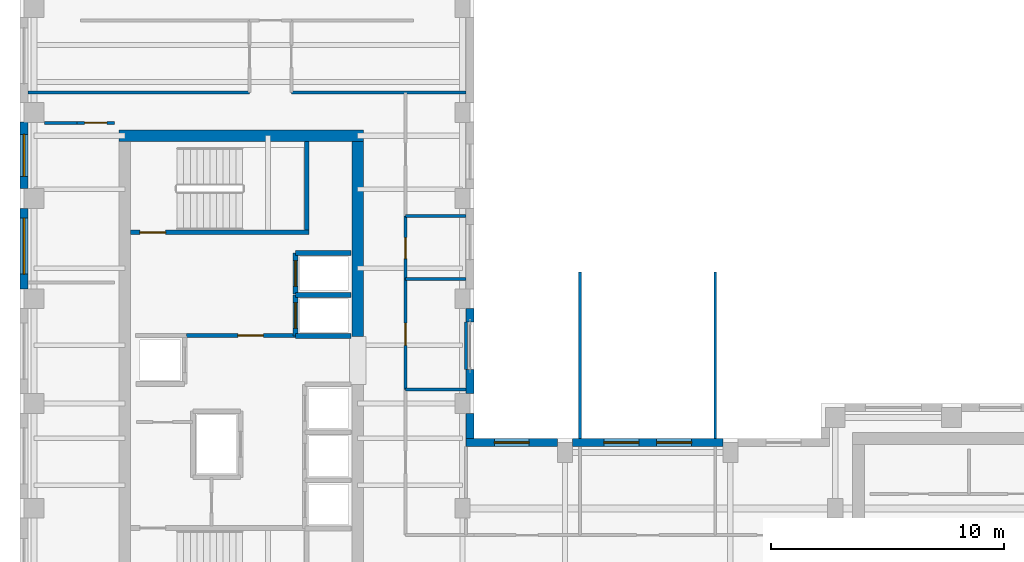
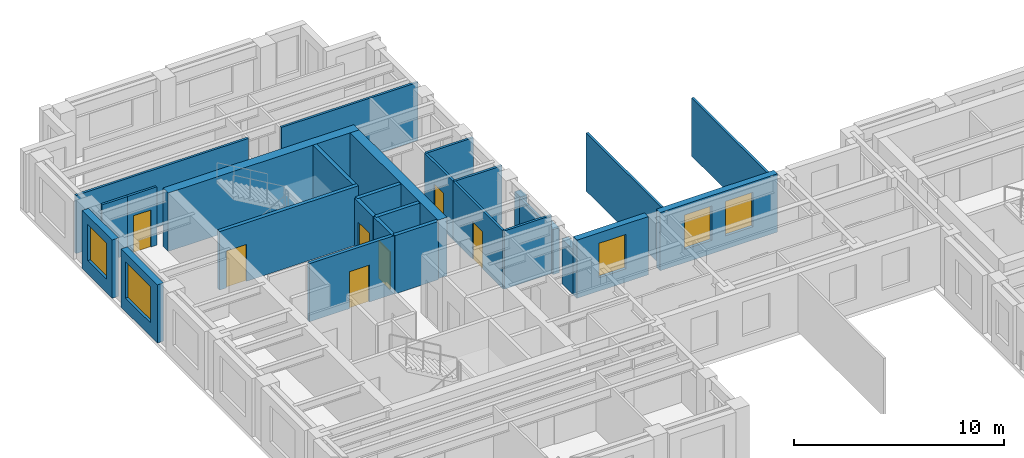
# One storey, part 6 of 11: 29 walls, 7 doors, 5 windows, 12 openings.
"""IFC4 building model written with IfcOpenShell, lengths in metres."""

from ifc_helpers import new_model, si_unit, direction, frame, frame_2d, origin, place, context, subcontext, project, spatial, rectangle, extrude, source, transform, mapped, material, layer, layer_set, type_object, element, fill, save


model = new_model("IFC4")

# Units and contexts
model_context = context("Model", 3, precision=1e-05, world=origin(), true_north=direction((0.0, 1.0)))
body_context = subcontext(model_context, "Body", "Model", "MODEL_VIEW")
ifc_project = project(units=[si_unit("LENGTHUNIT", "METRE"), si_unit("AREAUNIT", "SQUARE_METRE"), si_unit("VOLUMEUNIT", "CUBIC_METRE"), si_unit("PLANEANGLEUNIT", "RADIAN"), si_unit("MASSUNIT", "GRAM", prefix="KILO")], contexts=[model_context])

# Site, building, storey
site_placement = place(None, origin())
site = spatial("IfcSite", under=ifc_project, at=site_placement, CompositionType="ELEMENT")
building_placement = place(site_placement, origin())
building = spatial("IfcBuilding", under=site, at=building_placement, Name="Kharzan Plaza Tower", CompositionType="ELEMENT")
storey_placement = place(building_placement, frame((0.0, 0.0, 226.800048828125)))
storey = spatial("IfcBuildingStorey", under=building, at=storey_placement, Name="L61", CompositionType="ELEMENT", Elevation=226.800048828125)

# Wall, opening, window
ifc_material_1 = material(Name="Concrete C40/50", Category="concrete")
ifc_layer_1 = layer(ifc_material_1, 0.35009765625)
ifc_layer_set_1 = layer_set([ifc_layer_1], Name="Concrete C40/50")
wall_type_1 = type_object("IfcWallType", Name="WL-EXT-MAS-Z4", PredefinedType="SOLIDWALL", material=ifc_layer_set_1)
wall_1_placement = place(storey_placement, frame((0.175048828125, 30.076904296875, 0.0), z_axis=(0.0, 0.0, 1.0), x_axis=(0.0, -1.0, 0.0)))
wall_1 = element("IfcWall", 1, at=wall_1_placement, inside=storey, type_object=wall_type_1, Name="L61 Masonry-Frame Exterior Wall 18", PredefinedType="SOLIDWALL", context=body_context, shape_type="SweptSolid", body=[
    extrude(rectangle(XDim=2.85400390625, YDim=0.35009765625, at=frame_2d((1.427001953125, 0.0))), origin(), (0.0, 0.0, 1.0), 3.385009765625),
])
opening_1_placement = place(wall_1_placement, frame((0.527099609375, 0.0, 0.780029296875)))
opening_1 = element("IfcOpeningElement", 2, at=opening_1_placement, cuts=wall_1, Name="Opening W1", PredefinedType="OPENING", context=body_context, shape_type="SweptSolid", body=[
    extrude(rectangle(XDim=1.800048828125, YDim=2.10009765625, at=frame_2d((0.89990234375, 1.050048828125))), frame((0.0, 0.18505859375, 0.0), z_axis=(0.0, -1.0, 0.0), x_axis=(1.0, 0.0, 0.0)), (0.0, 0.0, 1.0), 0.3701171875),
])
ifc_material_2 = material(Name="Low-E Double Glazing", Category="glass")
window_type_1 = type_object("IfcWindowType", Name="WN-REC-1800x2100", PartitioningType="SINGLE_PANEL", PredefinedType="WINDOW", material=ifc_material_2)
shared_shape_1 = source(origin(), body_context, "Body", "SweptSolid", [
    extrude(rectangle(XDim=1.800048828125, YDim=2.10009765625, at=frame_2d((0.89990234375, 1.050048828125))), frame((0.0, 0.030029296875, 0.0), z_axis=(0.0, -1.0, 0.0), x_axis=(1.0, 0.0, 0.0)), (0.0, 0.0, 1.0), 0.06005859375),
])
window_1_placement = place(opening_1_placement, origin())
window_1 = element("IfcWindow", 3, at=window_1_placement, inside=storey, type_object=window_type_1, Name="L61 Recessed Solar-Control Window 18-1", OverallHeight=2.10009765625, OverallWidth=1.800048828125, PartitioningType="SINGLE_PANEL", PredefinedType="WINDOW", context=body_context, shape_type="MappedRepresentation", body=[
    mapped(shared_shape_1, transform((0.0, 0.0, 0.0), x_axis=(1.0, 0.0, 0.0), y_axis=(0.0, 1.0, 0.0), z_axis=(0.0, 0.0, 1.0))),
])
fill(opening_1, window_1)

wall_2_placement = place(storey_placement, frame((0.175048828125, 26.376953125, 0.0), z_axis=(0.0, 0.0, 1.0), x_axis=(0.0, -1.0, 0.0)))
wall_2 = element("IfcWall", 4, at=wall_2_placement, inside=storey, type_object=wall_type_1, Name="L61 Masonry-Frame Exterior Wall 19", PredefinedType="SOLIDWALL", context=body_context, shape_type="SweptSolid", body=[
    extrude(rectangle(XDim=3.453857421875, YDim=0.35009765625, at=frame_2d((1.72705078125, 0.0))), origin(), (0.0, 0.0, 1.0), 3.385009765625),
])
opening_2_placement = place(wall_2_placement, frame((0.423583984375, 0.0, 0.780029296875)))
opening_2 = element("IfcOpeningElement", 5, at=opening_2_placement, cuts=wall_2, Name="Opening W2", PredefinedType="OPENING", context=body_context, shape_type="SweptSolid", body=[
    extrude(rectangle(XDim=2.39990234375, YDim=2.10009765625, at=frame_2d((1.199951171875, 1.050048828125))), frame((0.0, 0.18505859375, 0.0), z_axis=(0.0, -1.0, 0.0), x_axis=(1.0, 0.0, 0.0)), (0.0, 0.0, 1.0), 0.3701171875),
])
window_type_2 = type_object("IfcWindowType", Name="WN-REC-2400x2100", PartitioningType="SINGLE_PANEL", PredefinedType="WINDOW", material=ifc_material_2)
shared_shape_2 = source(origin(), body_context, "Body", "SweptSolid", [
    extrude(rectangle(XDim=2.39990234375, YDim=2.10009765625, at=frame_2d((1.199951171875, 1.050048828125))), frame((0.0, 0.030029296875, 0.0), z_axis=(0.0, -1.0, 0.0), x_axis=(1.0, 0.0, 0.0)), (0.0, 0.0, 1.0), 0.06005859375),
])
window_2_placement = place(opening_2_placement, origin())
window_2 = element("IfcWindow", 6, at=window_2_placement, inside=storey, type_object=window_type_2, Name="L61 Wide Recessed Solar-Control Window 19-1", OverallHeight=2.10009765625, OverallWidth=2.39990234375, PartitioningType="SINGLE_PANEL", PredefinedType="WINDOW", context=body_context, shape_type="MappedRepresentation", body=[
    mapped(shared_shape_2, transform((0.0, 0.0, 0.0), x_axis=(1.0, 0.0, 0.0), y_axis=(0.0, 1.0, 0.0), z_axis=(0.0, 0.0, 1.0))),
])
fill(opening_2, window_2)

# Wall, openings, windows
wall_3_placement = place(storey_placement, frame((30.177001953125, 16.324951171875, 0.0), z_axis=(0.0, 0.0, 1.0), x_axis=(-1.0, 0.0, 0.0)))
wall_3 = element("IfcWall", 7, at=wall_3_placement, inside=storey, type_object=wall_type_1, Name="L61 Masonry-Frame Exterior Wall 50", PredefinedType="SOLIDWALL", context=body_context, shape_type="SweptSolid", body=[
    extrude(rectangle(XDim=6.4541015625, YDim=0.35009765625, at=frame_2d((3.22705078125, 0.0))), origin(), (0.0, 0.0, 1.0), 3.385009765625),
])
opening_3_placement = place(wall_3_placement, frame((1.34375, 0.0, 0.780029296875)))
opening_3 = element("IfcOpeningElement", 8, at=opening_3_placement, cuts=wall_3, Name="Opening W5", PredefinedType="OPENING", context=body_context, shape_type="SweptSolid", body=[
    extrude(rectangle(XDim=1.5, YDim=2.0, at=frame_2d((0.75, 1.0))), frame((0.0, 0.18505859375, 0.0), z_axis=(0.0, -1.0, 0.0), x_axis=(1.0, 0.0, 0.0)), (0.0, 0.0, 1.0), 0.3701171875),
])
opening_4_placement = place(wall_3_placement, frame((3.6103515625, 0.0, 0.780029296875)))
opening_4 = element("IfcOpeningElement", 9, at=opening_4_placement, cuts=wall_3, Name="Opening W5", PredefinedType="OPENING", context=body_context, shape_type="SweptSolid", body=[
    extrude(rectangle(XDim=1.5, YDim=2.0, at=frame_2d((0.75, 1.0))), frame((0.0, 0.18505859375, 0.0), z_axis=(0.0, -1.0, 0.0), x_axis=(1.0, 0.0, 0.0)), (0.0, 0.0, 1.0), 0.3701171875),
])
window_type_3 = type_object("IfcWindowType", Name="WN-SLT-1500x2000", PartitioningType="SINGLE_PANEL", PredefinedType="WINDOW", material=ifc_material_2)
shared_shape_3 = source(origin(), body_context, "Body", "SweptSolid", [
    extrude(rectangle(XDim=1.5, YDim=2.0, at=frame_2d((0.75, 1.0))), frame((0.0, 0.030029296875, 0.0), z_axis=(0.0, -1.0, 0.0), x_axis=(1.0, 0.0, 0.0)), (0.0, 0.0, 1.0), 0.06005859375),
])
window_3_placement = place(opening_3_placement, origin())
window_3 = element("IfcWindow", 10, at=window_3_placement, inside=storey, type_object=window_type_3, Name="L61 Recessed Solar-Control Window 50-1", OverallHeight=2.0, OverallWidth=1.5, PartitioningType="SINGLE_PANEL", PredefinedType="WINDOW", context=body_context, shape_type="MappedRepresentation", body=[
    mapped(shared_shape_3, transform((0.0, 0.0, 0.0), x_axis=(1.0, 0.0, 0.0), y_axis=(0.0, 1.0, 0.0), z_axis=(0.0, 0.0, 1.0))),
])
fill(opening_3, window_3)
window_4_placement = place(opening_4_placement, origin())
window_4 = element("IfcWindow", 11, at=window_4_placement, inside=storey, type_object=window_type_3, Name="L61 Recessed Solar-Control Window 50-2", OverallHeight=2.0, OverallWidth=1.5, PartitioningType="SINGLE_PANEL", PredefinedType="WINDOW", context=body_context, shape_type="MappedRepresentation", body=[
    mapped(shared_shape_3, transform((0.0, 0.0, 0.0), x_axis=(1.0, 0.0, 0.0), y_axis=(0.0, 1.0, 0.0), z_axis=(0.0, 0.0, 1.0))),
])
fill(opening_4, window_4)

# Wall, opening, window
wall_4_placement = place(storey_placement, frame((23.076904296875, 16.324951171875, 0.0), z_axis=(0.0, 0.0, 1.0), x_axis=(-1.0, 0.0, 0.0)))
wall_4 = element("IfcWall", 12, at=wall_4_placement, inside=storey, type_object=wall_type_1, Name="L61 Masonry-Frame Exterior Wall 51", PredefinedType="SOLIDWALL", context=body_context, shape_type="SweptSolid", body=[
    extrude(rectangle(XDim=3.927001953125, YDim=0.35009765625, at=frame_2d((1.96337890625, 0.0))), origin(), (0.0, 0.0, 1.0), 3.385009765625),
])
opening_5_placement = place(wall_4_placement, frame((1.21337890625, 0.0, 0.780029296875)))
opening_5 = element("IfcOpeningElement", 13, at=opening_5_placement, cuts=wall_4, Name="Opening W5", PredefinedType="OPENING", context=body_context, shape_type="SweptSolid", body=[
    extrude(rectangle(XDim=1.5, YDim=2.0, at=frame_2d((0.75, 1.0))), frame((0.0, 0.18505859375, 0.0), z_axis=(0.0, -1.0, 0.0), x_axis=(1.0, 0.0, 0.0)), (0.0, 0.0, 1.0), 0.3701171875),
])
window_5_placement = place(opening_5_placement, origin())
window_5 = element("IfcWindow", 14, at=window_5_placement, inside=storey, type_object=window_type_3, Name="L61 Recessed Solar-Control Window 51-1", OverallHeight=2.0, OverallWidth=1.5, PartitioningType="SINGLE_PANEL", PredefinedType="WINDOW", context=body_context, shape_type="MappedRepresentation", body=[
    mapped(shared_shape_3, transform((0.0, 0.0, 0.0), x_axis=(1.0, 0.0, 0.0), y_axis=(0.0, 1.0, 0.0), z_axis=(0.0, 0.0, 1.0))),
])
fill(opening_5, window_5)

# Wall, opening, door
ifc_layer_2 = layer(ifc_material_1, 0.179931640625)
ifc_layer_set_2 = layer_set([ifc_layer_2], Name="Concrete C40/50")
wall_type_2 = type_object("IfcWallType", Name="WL-INT-FIRE-180", PredefinedType="PARTITIONING", material=ifc_layer_set_2)
wall_5_placement = place(storey_placement, frame((7.14990234375, 20.919921875, 0.0), z_axis=(0.0, 0.0, 1.0), x_axis=(1.0, 0.0, 0.0)))
wall_5 = element("IfcWall", 15, at=wall_5_placement, inside=storey, type_object=wall_type_2, Name="L61 Interior Partition CA-FF-S", PredefinedType="PARTITIONING", context=body_context, shape_type="SweptSolid", body=[
    extrude(rectangle(XDim=4.68017578125, YDim=0.179931640625, at=frame_2d((2.340087890625, 0.0))), origin(), (0.0, 0.0, 1.0), 3.385009765625),
])
opening_6_placement = place(wall_5_placement, frame((2.199951171875, 0.0, 0.0)))
opening_6 = element("IfcOpeningElement", 16, at=opening_6_placement, cuts=wall_5, Name="Opening FD1", PredefinedType="OPENING", context=body_context, shape_type="SweptSolid", body=[
    extrude(rectangle(XDim=1.10009765625, YDim=2.14990234375, at=frame_2d((0.550048828125, 1.074951171875))), frame((0.0, 0.099853515625, 0.0), z_axis=(0.0, -1.0, 0.0), x_axis=(1.0, 0.0, 0.0)), (0.0, 0.0, 1.0), 0.199951171875),
])
ifc_material_3 = material(Name="Fire-Rated Acoustic Vision-Panel Steel", Category="steel")
door_type_1 = type_object("IfcDoorType", Name="DR-FIRE-LOBBY", OperationType="NOTDEFINED", PredefinedType="DOOR", material=ifc_material_3)
shared_shape_4 = source(origin(), body_context, "Body", "SweptSolid", [
    extrude(rectangle(XDim=1.10009765625, YDim=2.14990234375, at=frame_2d((0.550048828125, 1.074951171875))), frame((0.0, 0.02490234375, 0.0), z_axis=(0.0, -1.0, 0.0), x_axis=(1.0, 0.0, 0.0)), (0.0, 0.0, 1.0), 0.050048828125),
])
door_1_placement = place(opening_6_placement, origin())
door_1 = element("IfcDoor", 17, at=door_1_placement, inside=storey, type_object=door_type_1, Name="L61 Firefighting Lobby Door", OperationType="SINGLE_SWING_RIGHT", OverallHeight=2.14990234375, OverallWidth=1.10009765625, PredefinedType="DOOR", context=body_context, shape_type="MappedRepresentation", body=[
    mapped(shared_shape_4, transform((0.0, 0.0, 0.0), x_axis=(1.0, 0.0, 0.0), y_axis=(0.0, 1.0, 0.0), z_axis=(0.0, 0.0, 1.0))),
])
fill(opening_6, door_1)

ifc_material_4 = material(Name="Fire-Rated Gypsum Board Partition", Category="gypsum")
ifc_layer_3 = layer(ifc_material_4, 0.125)
ifc_layer_set_3 = layer_set([ifc_layer_3], Name="Fire-Rated Gypsum Board Partition")
wall_type_3 = type_object("IfcWallType", Name="WL-INT-PART-125", PredefinedType="PARTITIONING", material=ifc_layer_set_3)
wall_6_placement = place(storey_placement, frame((16.550048828125, 18.60009765625, 0.0), z_axis=(0.0, 0.0, 1.0), x_axis=(0.0, 1.0, 0.0)))
wall_6 = element("IfcWall", 18, at=wall_6_placement, inside=storey, type_object=wall_type_3, Name="L61 Interior Partition SH-AEWN2", PredefinedType="PARTITIONING", context=body_context, shape_type="SweptSolid", body=[
    extrude(rectangle(XDim=4.75, YDim=0.125, at=frame_2d((2.375, 0.0))), origin(), (0.0, 0.0, 1.0), 3.385009765625),
])
opening_7_placement = place(wall_6_placement, frame((1.89990234375, 0.0, 0.0)))
opening_7 = element("IfcOpeningElement", 19, at=opening_7_placement, cuts=wall_6, Name="Opening OD1", PredefinedType="OPENING", context=body_context, shape_type="SweptSolid", body=[
    extrude(rectangle(XDim=0.949951171875, YDim=2.14990234375, at=frame_2d((0.47509765625, 1.074951171875))), frame((0.0, 0.072509765625, 0.0), z_axis=(0.0, -1.0, 0.0), x_axis=(1.0, 0.0, 0.0)), (0.0, 0.0, 1.0), 0.14501953125),
])
ifc_material_5 = material(Name="Acoustic Solid-Core Stained Oak", Category="timber")
door_type_2 = type_object("IfcDoorType", Name="DR-OFF-SINGLE", OperationType="NOTDEFINED", PredefinedType="DOOR", material=ifc_material_5)
shared_shape_5 = source(origin(), body_context, "Body", "SweptSolid", [
    extrude(rectangle(XDim=0.949951171875, YDim=2.14990234375, at=frame_2d((0.47509765625, 1.074951171875))), frame((0.0, 0.02490234375, 0.0), z_axis=(0.0, -1.0, 0.0), x_axis=(1.0, 0.0, 0.0)), (0.0, 0.0, 1.0), 0.050048828125),
])
door_2_placement = place(opening_7_placement, origin())
door_2 = element("IfcDoor", 20, at=door_2_placement, inside=storey, type_object=door_type_2, Name="L61 Slot Studio Door", OperationType="SINGLE_SWING_RIGHT", OverallHeight=2.14990234375, OverallWidth=0.949951171875, PredefinedType="DOOR", context=body_context, shape_type="MappedRepresentation", body=[
    mapped(shared_shape_5, transform((0.0, 0.0, 0.0), x_axis=(1.0, 0.0, 0.0), y_axis=(0.0, 1.0, 0.0), z_axis=(0.0, 0.0, 1.0))),
])
fill(opening_7, door_2)

wall_7_placement = place(storey_placement, frame((16.550048828125, 23.35009765625, 0.0), z_axis=(0.0, 0.0, 1.0), x_axis=(0.0, 1.0, 0.0)))
wall_7 = element("IfcWall", 21, at=wall_7_placement, inside=storey, type_object=wall_type_3, Name="L61 Interior Partition SH-AEWW", PredefinedType="PARTITIONING", context=body_context, shape_type="SweptSolid", body=[
    extrude(rectangle(XDim=2.699951171875, YDim=0.125, at=frame_2d((1.35009765625, 0.0))), origin(), (0.0, 0.0, 1.0), 3.385009765625),
])
opening_8_placement = place(wall_7_placement, frame((0.875, 0.0, 0.0)))
opening_8 = element("IfcOpeningElement", 22, at=opening_8_placement, cuts=wall_7, Name="Opening WD1", PredefinedType="OPENING", context=body_context, shape_type="SweptSolid", body=[
    extrude(rectangle(XDim=0.89990234375, YDim=2.14990234375, at=frame_2d((0.449951171875, 1.074951171875))), frame((0.0, 0.072509765625, 0.0), z_axis=(0.0, -1.0, 0.0), x_axis=(1.0, 0.0, 0.0)), (0.0, 0.0, 1.0), 0.14501953125),
])
ifc_material_6 = material(Name="Moisture-Resistant Fire-Rated Laminate", Category="timber")
door_type_3 = type_object("IfcDoorType", Name="DR-WC-900", OperationType="NOTDEFINED", PredefinedType="DOOR", material=ifc_material_6)
shared_shape_6 = source(origin(), body_context, "Body", "SweptSolid", [
    extrude(rectangle(XDim=0.89990234375, YDim=2.14990234375, at=frame_2d((0.449951171875, 1.074951171875))), frame((0.0, 0.02490234375, 0.0), z_axis=(0.0, -1.0, 0.0), x_axis=(1.0, 0.0, 0.0)), (0.0, 0.0, 1.0), 0.050048828125),
])
door_3_placement = place(opening_8_placement, origin())
door_3 = element("IfcDoor", 23, at=door_3_placement, inside=storey, type_object=door_type_3, Name="L61 Wing A Washroom Door", OperationType="SINGLE_SWING_LEFT", OverallHeight=2.14990234375, OverallWidth=0.89990234375, PredefinedType="DOOR", context=body_context, shape_type="MappedRepresentation", body=[
    mapped(shared_shape_6, transform((0.0, 0.0, 0.0), x_axis=(1.0, 0.0, 0.0), y_axis=(0.0, 1.0, 0.0), z_axis=(0.0, 0.0, 1.0))),
])
fill(opening_8, door_3)

wall_8_placement = place(storey_placement, frame((2.449951171875, 30.050048828125, 0.0), z_axis=(0.0, 0.0, 1.0), x_axis=(1.0, 0.0, 0.0)))
wall_8 = element("IfcWall", 24, at=wall_8_placement, inside=storey, type_object=wall_type_3, Name="L61 Interior Partition SH-RWND", PredefinedType="PARTITIONING", context=body_context, shape_type="SweptSolid", body=[
    extrude(rectangle(XDim=1.60009765625, YDim=0.125, at=frame_2d((0.800048828125, 0.0))), origin(), (0.0, 0.0, 1.0), 3.385009765625),
])
opening_9_placement = place(wall_8_placement, frame((0.324951171875, 0.0, 0.0)))
opening_9 = element("IfcOpeningElement", 25, at=opening_9_placement, cuts=wall_8, Name="Opening OD1", PredefinedType="OPENING", context=body_context, shape_type="SweptSolid", body=[
    extrude(rectangle(XDim=0.949951171875, YDim=2.14990234375, at=frame_2d((0.47509765625, 1.074951171875))), frame((0.0, 0.072509765625, 0.0), z_axis=(0.0, -1.0, 0.0), x_axis=(1.0, 0.0, 0.0)), (0.0, 0.0, 1.0), 0.14501953125),
])
door_4_placement = place(opening_9_placement, origin())
door_4 = element("IfcDoor", 26, at=door_4_placement, inside=storey, type_object=door_type_2, Name="L61 West Office 2 Door", OperationType="SINGLE_SWING_LEFT", OverallHeight=2.14990234375, OverallWidth=0.949951171875, PredefinedType="DOOR", context=body_context, shape_type="MappedRepresentation", body=[
    mapped(shared_shape_5, transform((0.0, 0.0, 0.0), x_axis=(1.0, 0.0, 0.0), y_axis=(0.0, 1.0, 0.0), z_axis=(0.0, 0.0, 1.0))),
])
fill(opening_9, door_4)

ifc_layer_4 = layer(ifc_material_1, 0.199951171875)
ifc_layer_set_4 = layer_set([ifc_layer_4], Name="Concrete C40/50")
wall_type_4 = type_object("IfcWallType", Name="WL-INT-SHAFT-200", PredefinedType="PARTITIONING", material=ifc_layer_set_4)
wall_9_placement = place(storey_placement, frame((11.830078125, 20.89990234375, 0.0), z_axis=(0.0, 0.0, 1.0), x_axis=(0.0, 1.0, 0.0)))
wall_9 = element("IfcWall", 27, at=wall_9_placement, inside=storey, type_object=wall_type_4, Name="L61 Interior Partition SHF-FFL-1-W", PredefinedType="PARTITIONING", context=body_context, shape_type="SweptSolid", body=[
    extrude(rectangle(XDim=1.760009765625, YDim=0.199951171875, at=frame_2d((0.8798828125, 0.0))), origin(), (0.0, 0.0, 1.0), 3.385009765625),
])
opening_10_placement = place(wall_9_placement, frame((0.330078125, 0.0, 0.0)))
opening_10 = element("IfcOpeningElement", 28, at=opening_10_placement, cuts=wall_9, Name="Opening LD", PredefinedType="OPENING", context=body_context, shape_type="SweptSolid", body=[
    extrude(rectangle(XDim=1.10009765625, YDim=2.199951171875, at=frame_2d((0.550048828125, 1.10009765625))), frame((0.0, 0.10986328125, 0.0), z_axis=(0.0, -1.0, 0.0), x_axis=(1.0, 0.0, 0.0)), (0.0, 0.0, 1.0), 0.219970703125),
])
ifc_material_7 = material(Name="Brushed Stainless Steel", Category="steel")
door_type_4 = type_object("IfcDoorType", Name="DR-LIFT-SLIDE", OperationType="SLIDING_TO_LEFT", PredefinedType="DOOR", material=ifc_material_7)
shared_shape_7 = source(origin(), body_context, "Body", "SweptSolid", [
    extrude(rectangle(XDim=1.10009765625, YDim=2.199951171875, at=frame_2d((0.550048828125, 1.10009765625))), frame((0.0, 0.02490234375, 0.0), z_axis=(0.0, -1.0, 0.0), x_axis=(1.0, 0.0, 0.0)), (0.0, 0.0, 1.0), 0.050048828125),
])
door_5_placement = place(opening_10_placement, origin())
door_5 = element("IfcDoor", 29, at=door_5_placement, inside=storey, type_object=door_type_4, Name="L61 Firefighting Lift FFL-1 Sliding Landing Door", OperationType="SLIDING_TO_LEFT", OverallHeight=2.199951171875, OverallWidth=1.10009765625, PredefinedType="DOOR", context=body_context, shape_type="MappedRepresentation", body=[
    mapped(shared_shape_7, transform((0.0, 0.0, 0.0), x_axis=(1.0, 0.0, 0.0), y_axis=(0.0, 1.0, 0.0), z_axis=(0.0, 0.0, 1.0))),
])
fill(opening_10, door_5)

wall_10_placement = place(storey_placement, frame((11.830078125, 22.699951171875, 0.0), z_axis=(0.0, 0.0, 1.0), x_axis=(0.0, 1.0, 0.0)))
wall_10 = element("IfcWall", 30, at=wall_10_placement, inside=storey, type_object=wall_type_4, Name="L61 Interior Partition SHF-FFL-2-W", PredefinedType="PARTITIONING", context=body_context, shape_type="SweptSolid", body=[
    extrude(rectangle(XDim=1.760009765625, YDim=0.199951171875, at=frame_2d((0.8798828125, 0.0))), origin(), (0.0, 0.0, 1.0), 3.385009765625),
])
opening_11_placement = place(wall_10_placement, frame((0.330078125, 0.0, 0.0)))
opening_11 = element("IfcOpeningElement", 31, at=opening_11_placement, cuts=wall_10, Name="Opening LD", PredefinedType="OPENING", context=body_context, shape_type="SweptSolid", body=[
    extrude(rectangle(XDim=1.10009765625, YDim=2.199951171875, at=frame_2d((0.550048828125, 1.10009765625))), frame((0.0, 0.10986328125, 0.0), z_axis=(0.0, -1.0, 0.0), x_axis=(1.0, 0.0, 0.0)), (0.0, 0.0, 1.0), 0.219970703125),
])
door_6_placement = place(opening_11_placement, origin())
door_6 = element("IfcDoor", 32, at=door_6_placement, inside=storey, type_object=door_type_4, Name="L61 Firefighting Lift FFL-2 Sliding Landing Door", OperationType="SLIDING_TO_LEFT", OverallHeight=2.199951171875, OverallWidth=1.10009765625, PredefinedType="DOOR", context=body_context, shape_type="MappedRepresentation", body=[
    mapped(shared_shape_7, transform((0.0, 0.0, 0.0), x_axis=(1.0, 0.0, 0.0), y_axis=(0.0, 1.0, 0.0), z_axis=(0.0, 0.0, 1.0))),
])
fill(opening_11, door_6)

ifc_material_8 = material(Name="Concrete C50/60", Category="concrete")
ifc_layer_5 = layer(ifc_material_8, 0.199951171875)
ifc_layer_set_5 = layer_set([ifc_layer_5], Name="Concrete C50/60")
wall_type_5 = type_object("IfcWallType", Name="WL-SHAFT-RC200", PredefinedType="SHEAR", material=ifc_layer_set_5)
wall_11_placement = place(storey_placement, frame((4.751953125, 25.344970703125, 0.0), z_axis=(0.0, 0.0, 1.0), x_axis=(1.0, 0.0, 0.0)))
wall_11 = element("IfcWall", 33, at=wall_11_placement, inside=storey, type_object=wall_type_5, Name="L61 Stair ST-2 South RC Shaft Wall", PredefinedType="SHEAR", context=body_context, shape_type="SweptSolid", body=[
    extrude(rectangle(XDim=7.653076171875, YDim=0.199951171875, at=frame_2d((3.82666015625, 0.0))), origin(), (0.0, 0.0, 1.0), 3.39990234375),
])
opening_12_placement = place(wall_11_placement, frame((0.39990234375, 0.0, 0.0)))
opening_12 = element("IfcOpeningElement", 34, at=opening_12_placement, cuts=wall_11, Name="Opening SD1", PredefinedType="OPENING", context=body_context, shape_type="SweptSolid", body=[
    extrude(rectangle(XDim=1.10009765625, YDim=2.14990234375, at=frame_2d((0.550048828125, 1.074951171875))), frame((0.0, 0.10986328125, 0.0), z_axis=(0.0, -1.0, 0.0), x_axis=(1.0, 0.0, 0.0)), (0.0, 0.0, 1.0), 0.219970703125),
])
ifc_material_9 = material(Name="Fire-Rated Hollow Galvanized Steel", Category="steel")
door_type_5 = type_object("IfcDoorType", Name="DR-STAIR-FD120", OperationType="NOTDEFINED", PredefinedType="DOOR", material=ifc_material_9)
shared_shape_8 = source(origin(), body_context, "Body", "SweptSolid", [
    extrude(rectangle(XDim=1.10009765625, YDim=2.14990234375, at=frame_2d((0.550048828125, 1.074951171875))), frame((0.0, 0.02490234375, 0.0), z_axis=(0.0, -1.0, 0.0), x_axis=(1.0, 0.0, 0.0)), (0.0, 0.0, 1.0), 0.050048828125),
])
door_7_placement = place(opening_12_placement, origin())
door_7 = element("IfcDoor", 35, at=door_7_placement, inside=storey, type_object=door_type_5, Name="L61 Stair ST-2 Fire Exit Door", OperationType="SINGLE_SWING_LEFT", OverallHeight=2.14990234375, OverallWidth=1.10009765625, PredefinedType="DOOR", context=body_context, shape_type="MappedRepresentation", body=[
    mapped(shared_shape_8, transform((0.0, 0.0, 0.0), x_axis=(1.0, 0.0, 0.0), y_axis=(0.0, 1.0, 0.0), z_axis=(0.0, 0.0, 1.0))),
])
fill(opening_12, door_7)

# Walls
shared_shape_9 = source(origin(), body_context, "Body", "SweptSolid", [
    extrude(rectangle(XDim=2.597900390625, YDim=0.125, at=frame_2d((1.298828125, 0.0))), origin(), (0.0, 0.0, 1.0), 3.385009765625),
])
for number, where, z_axis, x_axis, name in (
    (36, (16.550048828125, 18.60009765625, 0.0), (0.0, 0.0, 1.0), (1.0, 0.0, 0.0), "L61 Interior Partition SH-AEH-186"),
    (37, (16.550048828125, 23.35009765625, 0.0), (0.0, 0.0, 1.0), (1.0, 0.0, 0.0), "L61 Interior Partition SH-AEH-233"),
    (38, (16.550048828125, 26.050048828125, 0.0), (0.0, 0.0, 1.0), (1.0, 0.0, 0.0), "L61 Interior Partition SH-AEH-260"),
):
    element("IfcWall", number, at=place(storey_placement, frame(where, z_axis=z_axis, x_axis=x_axis)), inside=storey, type_object=wall_type_3, Name=name, PredefinedType="PARTITIONING", context=body_context, shape_type="MappedRepresentation", body=[
        mapped(shared_shape_9, transform((0.0, 0.0, 0.0), x_axis=(1.0, 0.0, 0.0), y_axis=(0.0, 1.0, 0.0), z_axis=(0.0, 0.0, 1.0))),
    ])
shared_shape_10 = source(origin(), body_context, "Body", "SweptSolid", [
    extrude(rectangle(XDim=7.498046875, YDim=0.125, at=frame_2d((3.7490234375, 0.0))), origin(), (0.0, 0.0, 1.0), 3.385009765625),
])
wall_12_placement = place(storey_placement, frame((11.64990234375, 31.35009765625, 0.0), z_axis=(0.0, 0.0, 1.0), x_axis=(1.0, 0.0, 0.0)))
element("IfcWall", 39, at=wall_12_placement, inside=storey, type_object=wall_type_3, Name="L61 Interior Partition SH-NNE", PredefinedType="PARTITIONING", context=body_context, shape_type="MappedRepresentation", body=[
    mapped(shared_shape_10, transform((0.0, 0.0, 0.0), x_axis=(1.0, 0.0, 0.0), y_axis=(0.0, 1.0, 0.0), z_axis=(0.0, 0.0, 1.0))),
])
shared_shape_11 = source(origin(), body_context, "Body", "SweptSolid", [
    extrude(rectangle(XDim=9.498046875, YDim=0.125, at=frame_2d((4.7490234375, 0.0))), origin(), (0.0, 0.0, 1.0), 3.385009765625),
])
wall_13_placement = place(storey_placement, frame((0.35205078125, 31.35009765625, 0.0), z_axis=(0.0, 0.0, 1.0), x_axis=(1.0, 0.0, 0.0)))
element("IfcWall", 40, at=wall_13_placement, inside=storey, type_object=wall_type_3, Name="L61 Interior Partition SH-NNW", PredefinedType="PARTITIONING", context=body_context, shape_type="MappedRepresentation", body=[
    mapped(shared_shape_11, transform((0.0, 0.0, 0.0), x_axis=(1.0, 0.0, 0.0), y_axis=(0.0, 1.0, 0.0), z_axis=(0.0, 0.0, 1.0))),
])
shared_shape_12 = source(origin(), body_context, "Body", "SweptSolid", [
    extrude(rectangle(XDim=2.389892578125, YDim=0.199951171875, at=frame_2d((1.19482421875, 0.0))), origin(), (0.0, 0.0, 1.0), 3.385009765625),
])
for number, where, z_axis, x_axis, name in (
    (41, (11.830078125, 22.659912109375, 0.0), (0.0, 0.0, 1.0), (1.0, 0.0, 0.0), "L61 Interior Partition SHF-FFL-1-N"),
    (42, (11.830078125, 20.89990234375, 0.0), (0.0, 0.0, 1.0), (1.0, 0.0, 0.0), "L61 Interior Partition SHF-FFL-1-S"),
    (43, (11.830078125, 24.4599609375, 0.0), (0.0, 0.0, 1.0), (1.0, 0.0, 0.0), "L61 Interior Partition SHF-FFL-2-N"),
):
    element("IfcWall", number, at=place(storey_placement, frame(where, z_axis=z_axis, x_axis=x_axis)), inside=storey, type_object=wall_type_4, Name=name, PredefinedType="PARTITIONING", context=body_context, shape_type="MappedRepresentation", body=[
        mapped(shared_shape_12, transform((0.0, 0.0, 0.0), x_axis=(1.0, 0.0, 0.0), y_axis=(0.0, 1.0, 0.0), z_axis=(0.0, 0.0, 1.0))),
    ])
ifc_layer_6 = layer(ifc_material_8, 0.5)
ifc_layer_set_6 = layer_set([ifc_layer_6], Name="Concrete C50/60")
wall_type_6 = type_object("IfcWallType", Name="WL-CORE-500", PredefinedType="SHEAR", material=ifc_layer_set_6)
shared_shape_13 = source(origin(), body_context, "Body", "SweptSolid", [
    extrude(rectangle(XDim=8.3701171875, YDim=0.5, at=frame_2d((4.18505859375, 0.0))), origin(), (0.0, 0.0, 1.0), 3.39990234375),
])
wall_14_placement = place(storey_placement, frame((14.5, 20.8798828125, 0.0), z_axis=(0.0, 0.0, 1.0), x_axis=(0.0, 1.0, 0.0)))
element("IfcWall", 44, at=wall_14_placement, inside=storey, type_object=wall_type_6, Name="L61 CORE-A east shear pier 2", PredefinedType="SHEAR", context=body_context, shape_type="MappedRepresentation", body=[
    mapped(shared_shape_13, transform((0.0, 0.0, 0.0), x_axis=(1.0, 0.0, 0.0), y_axis=(0.0, 1.0, 0.0), z_axis=(0.0, 0.0, 1.0))),
])
shared_shape_14 = source(origin(), body_context, "Body", "SweptSolid", [
    extrude(rectangle(XDim=10.5, YDim=0.5, at=frame_2d((5.25, 0.0))), origin(), (0.0, 0.0, 1.0), 3.39990234375),
])
wall_15_placement = place(storey_placement, frame((4.25, 29.5, 0.0), z_axis=(0.0, 0.0, 1.0), x_axis=(1.0, 0.0, 0.0)))
element("IfcWall", 45, at=wall_15_placement, inside=storey, type_object=wall_type_6, Name="L61 CORE-A north RC shear wall", PredefinedType="SHEAR", context=body_context, shape_type="MappedRepresentation", body=[
    mapped(shared_shape_14, transform((0.0, 0.0, 0.0), x_axis=(1.0, 0.0, 0.0), y_axis=(0.0, 1.0, 0.0), z_axis=(0.0, 0.0, 1.0))),
])
shared_shape_15 = source(origin(), body_context, "Body", "SweptSolid", [
    extrude(rectangle(XDim=1.39990234375, YDim=0.125, at=frame_2d((0.699951171875, 0.0))), origin(), (0.0, 0.0, 1.0), 3.385009765625),
])
wall_16_placement = place(storey_placement, frame((1.050048828125, 30.050048828125, 0.0), z_axis=(0.0, 0.0, 1.0), x_axis=(1.0, 0.0, 0.0)))
element("IfcWall", 46, at=wall_16_placement, inside=storey, type_object=wall_type_3, Name="L61 Interior Partition SH-RWN0", PredefinedType="PARTITIONING", context=body_context, shape_type="MappedRepresentation", body=[
    mapped(shared_shape_15, transform((0.0, 0.0, 0.0), x_axis=(1.0, 0.0, 0.0), y_axis=(0.0, 1.0, 0.0), z_axis=(0.0, 0.0, 1.0))),
])
shared_shape_16 = source(origin(), body_context, "Body", "SweptSolid", [
    extrude(rectangle(XDim=3.802978515625, YDim=0.199951171875, at=frame_2d((1.9013671875, 0.0))), origin(), (0.0, 0.0, 1.0), 3.39990234375),
])
wall_17_placement = place(storey_placement, frame((12.304931640625, 25.445068359375, 0.0), z_axis=(0.0, 0.0, 1.0), x_axis=(0.0, 1.0, 0.0)))
element("IfcWall", 47, at=wall_17_placement, inside=storey, type_object=wall_type_5, Name="L61 Stair ST-2 East RC Shaft Wall", PredefinedType="SHEAR", context=body_context, shape_type="MappedRepresentation", body=[
    mapped(shared_shape_16, transform((0.0, 0.0, 0.0), x_axis=(1.0, 0.0, 0.0), y_axis=(0.0, 1.0, 0.0), z_axis=(0.0, 0.0, 1.0))),
])
shared_shape_17 = source(origin(), body_context, "Body", "SweptSolid", [
    extrude(rectangle(XDim=7.14794921875, YDim=0.125, at=frame_2d((3.573974609375, 0.0))), origin(), (0.0, 0.0, 1.0), 3.385009765625),
])
for number, where, z_axis, x_axis, name in (
    (48, (24.050048828125, 16.501953125, 0.0), (0.0, 0.0, 1.0), (0.0, 1.0, 0.0), "L61 Interior Partition SH-SPML-S2"),
    (49, (29.85009765625, 16.501953125, 0.0), (0.0, 0.0, 1.0), (0.0, 1.0, 0.0), "L61 Interior Partition SH-SPMR-S2"),
):
    element("IfcWall", number, at=place(storey_placement, frame(where, z_axis=z_axis, x_axis=x_axis)), inside=storey, type_object=wall_type_3, Name=name, PredefinedType="PARTITIONING", context=body_context, shape_type="MappedRepresentation", body=[
        mapped(shared_shape_17, transform((0.0, 0.0, 0.0), x_axis=(1.0, 0.0, 0.0), y_axis=(0.0, 1.0, 0.0), z_axis=(0.0, 0.0, 1.0))),
    ])
shared_shape_18 = source(origin(), body_context, "Body", "SweptSolid", [
    extrude(rectangle(XDim=1.078857421875, YDim=0.35009765625, at=frame_2d((0.53955078125, 0.0))), origin(), (0.0, 0.0, 1.0), 2.618896484375),
])
wall_18_placement = place(storey_placement, frame((19.324951171875, 16.498046875, 0.0), z_axis=(0.0, 0.0, 1.0), x_axis=(0.0, 1.0, 0.0)))
element("IfcWall", 50, at=wall_18_placement, inside=storey, type_object=wall_type_1, Name="L61 Masonry-Frame Exterior Wall 01", PredefinedType="SOLIDWALL", context=body_context, shape_type="MappedRepresentation", body=[
    mapped(shared_shape_18, transform((0.0, 0.0, 0.0), x_axis=(1.0, 0.0, 0.0), y_axis=(0.0, 1.0, 0.0), z_axis=(0.0, 0.0, 1.0))),
])
shared_shape_19 = source(origin(), body_context, "Body", "SweptSolid", [
    extrude(rectangle(XDim=1.02685546875, YDim=0.35009765625, at=frame_2d((0.513427734375, 0.0))), origin(), (0.0, 0.0, 1.0), 2.618896484375),
])
wall_19_placement = place(storey_placement, frame((19.324951171875, 18.423095703125, 0.0), z_axis=(0.0, 0.0, 1.0), x_axis=(0.0, 1.0, 0.0)))
element("IfcWall", 51, at=wall_19_placement, inside=storey, type_object=wall_type_1, Name="L61 Masonry-Frame Exterior Wall 02", PredefinedType="SOLIDWALL", context=body_context, shape_type="MappedRepresentation", body=[
    mapped(shared_shape_19, transform((0.0, 0.0, 0.0), x_axis=(1.0, 0.0, 0.0), y_axis=(0.0, 1.0, 0.0), z_axis=(0.0, 0.0, 1.0))),
])
shared_shape_20 = source(origin(), body_context, "Body", "SweptSolid", [
    extrude(rectangle(XDim=0.576904296875, YDim=0.35009765625, at=frame_2d((0.28857421875, 0.0))), origin(), (0.0, 0.0, 1.0), 2.618896484375),
])
wall_20_placement = place(storey_placement, frame((19.324951171875, 21.5, 0.0), z_axis=(0.0, 0.0, 1.0), x_axis=(0.0, 1.0, 0.0)))
element("IfcWall", 52, at=wall_20_placement, inside=storey, type_object=wall_type_1, Name="L61 Masonry-Frame Exterior Wall 03", PredefinedType="SOLIDWALL", context=body_context, shape_type="MappedRepresentation", body=[
    mapped(shared_shape_20, transform((0.0, 0.0, 0.0), x_axis=(1.0, 0.0, 0.0), y_axis=(0.0, 1.0, 0.0), z_axis=(0.0, 0.0, 1.0))),
])
shared_shape_21 = source(origin(), body_context, "Body", "SweptSolid", [
    extrude(rectangle(XDim=2.050048828125, YDim=0.125, at=frame_2d((1.02490234375, 0.0))), origin(), (0.0, 0.0, 1.0), 2.618896484375),
])
wall_21_placement = place(storey_placement, frame((19.14990234375, 19.449951171875, 0.0), z_axis=(0.0, 0.0, 1.0), x_axis=(0.0, 1.0, 0.0)))
element("IfcWall", 53, at=wall_21_placement, inside=storey, type_object=wall_type_3, Name="L61 Interior Partition SH-AEN-DIV-S3", PredefinedType="PARTITIONING", context=body_context, shape_type="MappedRepresentation", body=[
    mapped(shared_shape_21, transform((0.0, 0.0, 0.0), x_axis=(1.0, 0.0, 0.0), y_axis=(0.0, 1.0, 0.0), z_axis=(0.0, 0.0, 1.0))),
])

save(model, "model.ifc")
